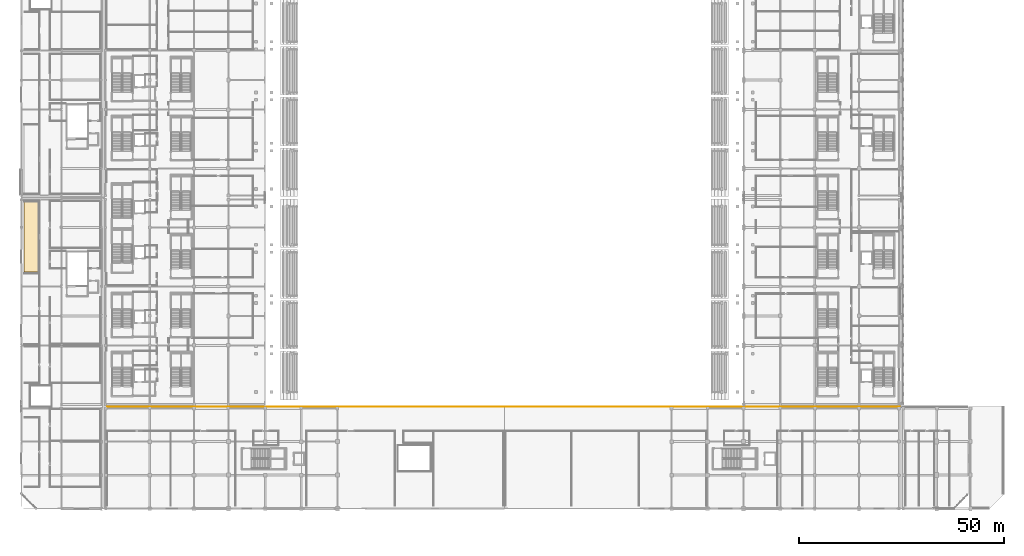
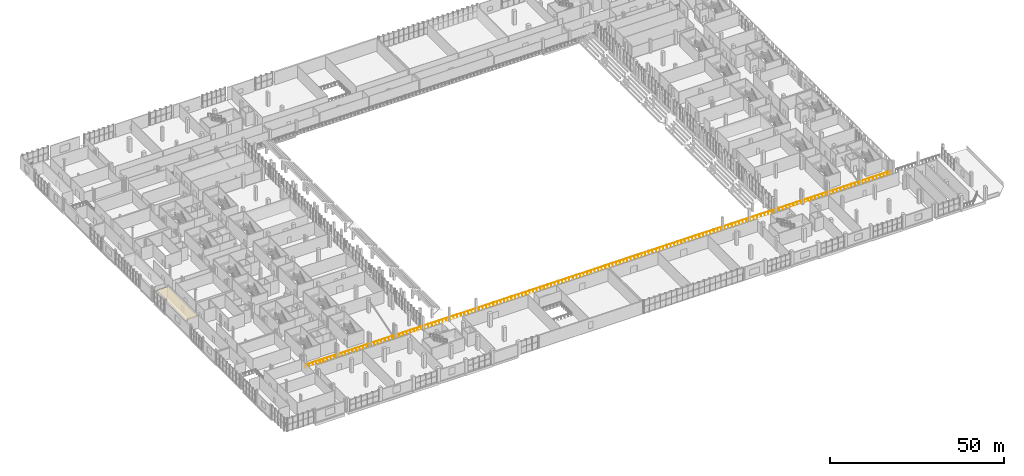
# One storey, part 118 of 142: 1 covering, 1 railing.
"""IFC4 building model written with IfcOpenShell, lengths in metres."""

from ifc_helpers import new_model, si_unit, direction, frame, origin, origin_2d, place, context, subcontext, project, spatial, polyline, circle, outline, extrude, material, layer, layer_set, type_object, element, save


model = new_model("IFC4")

# Units and contexts
model_context = context("Model", 3, precision=1e-05, world=origin(), true_north=direction((0.0, 1.0)))
body_context = subcontext(model_context, "Body", "Model", "MODEL_VIEW")
ifc_project = project(units=[si_unit("LENGTHUNIT", "METRE"), si_unit("AREAUNIT", "SQUARE_METRE"), si_unit("VOLUMEUNIT", "CUBIC_METRE"), si_unit("PLANEANGLEUNIT", "RADIAN"), si_unit("MASSUNIT", "GRAM", prefix="KILO")], contexts=[model_context])

# Site, building, storey
site_placement = place(None, origin())
site = spatial("IfcSite", under=ifc_project, at=site_placement, CompositionType="ELEMENT")
building_placement = place(site_placement, origin())
building = spatial("IfcBuilding", under=site, at=building_placement, Name="Koshinbarg Plaza Stadium", CompositionType="ELEMENT")
storey_placement = place(building_placement, frame((0.0, 0.0, 10.199951171875)))
storey = spatial("IfcBuildingStorey", under=building, at=storey_placement, Name="L02", CompositionType="ELEMENT", Elevation=10.199951171875)

# Covering
ifc_material_1 = material(Name="Perforated gypsum acoustic ceiling board")
ifc_layer = layer(ifc_material_1, 0.030029296875)
ifc_layer_set = layer_set([ifc_layer], Name="Perforated gypsum acoustic ceiling board")
covering_type = type_object("IfcCoveringType", Name="COV-CEIL-01", PredefinedType="CEILING", material=ifc_layer_set)
covering_placement = place(storey_placement, frame((0.0, 0.0, 3.699951171875)))
element("IfcCovering", 1, at=covering_placement, inside=storey, type_object=covering_type, Name="L02 Southwest Hospitality Suite acoustic ceiling 029", PredefinedType="CEILING", context=body_context, shape_type="SweptSolid", body=[
    extrude(outline(polyline([(4.699951171875, 57.78759765625), (8.39990234375, 57.78759765625), (8.39990234375, 75.10498046875), (4.699951171875, 75.10498046875), (4.699951171875, 57.78759765625)])), origin(), (0.0, 0.0, 1.0), 0.030029296875),
])

# Railing
ifc_material_2 = material(Name="Toughened laminated glass and stainless steel sightline balustrade", Category="steel")
railing_type = type_object("IfcRailingType", Name="RL-BOWL-1100", PredefinedType="BALUSTRADE", material=ifc_material_2)
railing_placement = place(storey_placement, frame((25.0, 24.8798828125, 0.0)))
element("IfcRailing", 2, at=railing_placement, inside=storey, type_object=railing_type, Name="L02 bowl concourse sightline balustrade 0021", PredefinedType="BALUSTRADE", context=body_context, shape_type="SweptSolid", body=[
    extrude(circle(Radius=0.02392578125, at=origin_2d()), frame((0.0, 0.0, 1.076171875), z_axis=(1.0, 0.0, 0.0), x_axis=(0.0, 1.0, 0.0)), (0.0, 0.0, 1.0), 193.89990234375),
    extrude(circle(Radius=0.02099609375, at=origin_2d()), origin(), (0.0, 0.0, 1.0), 1.052001953125),
    extrude(circle(Radius=0.02099609375, at=origin_2d()), frame((1.197021484375, 0.0, 0.0)), (0.0, 0.0, 1.0), 1.052001953125),
    extrude(circle(Radius=0.02099609375, at=origin_2d()), frame((2.393798828125, 0.0, 0.0)), (0.0, 0.0, 1.0), 1.052001953125),
    extrude(circle(Radius=0.02099609375, at=origin_2d()), frame((3.5908203125, 0.0, 0.0)), (0.0, 0.0, 1.0), 1.052001953125),
    extrude(circle(Radius=0.02099609375, at=origin_2d()), frame((4.78759765625, 0.0, 0.0)), (0.0, 0.0, 1.0), 1.052001953125),
    extrude(circle(Radius=0.02099609375, at=origin_2d()), frame((5.984619140625, 0.0, 0.0)), (0.0, 0.0, 1.0), 1.052001953125),
    extrude(circle(Radius=0.02099609375, at=origin_2d()), frame((7.181396484375, 0.0, 0.0)), (0.0, 0.0, 1.0), 1.052001953125),
    extrude(circle(Radius=0.02099609375, at=origin_2d()), frame((8.37841796875, 0.0, 0.0)), (0.0, 0.0, 1.0), 1.052001953125),
    extrude(circle(Radius=0.02099609375, at=origin_2d()), frame((9.5751953125, 0.0, 0.0)), (0.0, 0.0, 1.0), 1.052001953125),
    extrude(circle(Radius=0.02099609375, at=origin_2d()), frame((10.772216796875, 0.0, 0.0)), (0.0, 0.0, 1.0), 1.052001953125),
    extrude(circle(Radius=0.02099609375, at=origin_2d()), frame((11.96923828125, 0.0, 0.0)), (0.0, 0.0, 1.0), 1.052001953125),
    extrude(circle(Radius=0.02099609375, at=origin_2d()), frame((13.166015625, 0.0, 0.0)), (0.0, 0.0, 1.0), 1.052001953125),
    extrude(circle(Radius=0.02099609375, at=origin_2d()), frame((14.363037109375, 0.0, 0.0)), (0.0, 0.0, 1.0), 1.052001953125),
    extrude(circle(Radius=0.02099609375, at=origin_2d()), frame((15.559814453125, 0.0, 0.0)), (0.0, 0.0, 1.0), 1.052001953125),
    extrude(circle(Radius=0.02099609375, at=origin_2d()), frame((16.7568359375, 0.0, 0.0)), (0.0, 0.0, 1.0), 1.052001953125),
    extrude(circle(Radius=0.02099609375, at=origin_2d()), frame((17.95361328125, 0.0, 0.0)), (0.0, 0.0, 1.0), 1.052001953125),
    extrude(circle(Radius=0.02099609375, at=origin_2d()), frame((19.150634765625, 0.0, 0.0)), (0.0, 0.0, 1.0), 1.052001953125),
    extrude(circle(Radius=0.02099609375, at=origin_2d()), frame((20.347412109375, 0.0, 0.0)), (0.0, 0.0, 1.0), 1.052001953125),
    extrude(circle(Radius=0.02099609375, at=origin_2d()), frame((21.54443359375, 0.0, 0.0)), (0.0, 0.0, 1.0), 1.052001953125),
    extrude(circle(Radius=0.02099609375, at=origin_2d()), frame((22.741455078125, 0.0, 0.0)), (0.0, 0.0, 1.0), 1.052001953125),
    extrude(circle(Radius=0.02099609375, at=origin_2d()), frame((23.938232421875, 0.0, 0.0)), (0.0, 0.0, 1.0), 1.052001953125),
    extrude(circle(Radius=0.02099609375, at=origin_2d()), frame((25.13525390625, 0.0, 0.0)), (0.0, 0.0, 1.0), 1.052001953125),
    extrude(circle(Radius=0.02099609375, at=origin_2d()), frame((26.33203125, 0.0, 0.0)), (0.0, 0.0, 1.0), 1.052001953125),
    extrude(circle(Radius=0.02099609375, at=origin_2d()), frame((27.529052734375, 0.0, 0.0)), (0.0, 0.0, 1.0), 1.052001953125),
    extrude(circle(Radius=0.02099609375, at=origin_2d()), frame((28.725830078125, 0.0, 0.0)), (0.0, 0.0, 1.0), 1.052001953125),
    extrude(circle(Radius=0.02099609375, at=origin_2d()), frame((29.9228515625, 0.0, 0.0)), (0.0, 0.0, 1.0), 1.052001953125),
    extrude(circle(Radius=0.02099609375, at=origin_2d()), frame((31.11962890625, 0.0, 0.0)), (0.0, 0.0, 1.0), 1.052001953125),
    extrude(circle(Radius=0.02099609375, at=origin_2d()), frame((32.316650390625, 0.0, 0.0)), (0.0, 0.0, 1.0), 1.052001953125),
    extrude(circle(Radius=0.02099609375, at=origin_2d()), frame((33.513671875, 0.0, 0.0)), (0.0, 0.0, 1.0), 1.052001953125),
    extrude(circle(Radius=0.02099609375, at=origin_2d()), frame((34.71044921875, 0.0, 0.0)), (0.0, 0.0, 1.0), 1.052001953125),
    extrude(circle(Radius=0.02099609375, at=origin_2d()), frame((35.907470703125, 0.0, 0.0)), (0.0, 0.0, 1.0), 1.052001953125),
    extrude(circle(Radius=0.02099609375, at=origin_2d()), frame((37.104248046875, 0.0, 0.0)), (0.0, 0.0, 1.0), 1.052001953125),
    extrude(circle(Radius=0.02099609375, at=origin_2d()), frame((38.30126953125, 0.0, 0.0)), (0.0, 0.0, 1.0), 1.052001953125),
    extrude(circle(Radius=0.02099609375, at=origin_2d()), frame((39.498046875, 0.0, 0.0)), (0.0, 0.0, 1.0), 1.052001953125),
    extrude(circle(Radius=0.02099609375, at=origin_2d()), frame((40.695068359375, 0.0, 0.0)), (0.0, 0.0, 1.0), 1.052001953125),
    extrude(circle(Radius=0.02099609375, at=origin_2d()), frame((41.891845703125, 0.0, 0.0)), (0.0, 0.0, 1.0), 1.052001953125),
    extrude(circle(Radius=0.02099609375, at=origin_2d()), frame((43.0888671875, 0.0, 0.0)), (0.0, 0.0, 1.0), 1.052001953125),
    extrude(circle(Radius=0.02099609375, at=origin_2d()), frame((44.285888671875, 0.0, 0.0)), (0.0, 0.0, 1.0), 1.052001953125),
    extrude(circle(Radius=0.02099609375, at=origin_2d()), frame((45.482666015625, 0.0, 0.0)), (0.0, 0.0, 1.0), 1.052001953125),
    extrude(circle(Radius=0.02099609375, at=origin_2d()), frame((46.6796875, 0.0, 0.0)), (0.0, 0.0, 1.0), 1.052001953125),
    extrude(circle(Radius=0.02099609375, at=origin_2d()), frame((47.87646484375, 0.0, 0.0)), (0.0, 0.0, 1.0), 1.052001953125),
    extrude(circle(Radius=0.02099609375, at=origin_2d()), frame((49.073486328125, 0.0, 0.0)), (0.0, 0.0, 1.0), 1.052001953125),
    extrude(circle(Radius=0.02099609375, at=origin_2d()), frame((50.270263671875, 0.0, 0.0)), (0.0, 0.0, 1.0), 1.052001953125),
    extrude(circle(Radius=0.02099609375, at=origin_2d()), frame((51.46728515625, 0.0, 0.0)), (0.0, 0.0, 1.0), 1.052001953125),
    extrude(circle(Radius=0.02099609375, at=origin_2d()), frame((52.6640625, 0.0, 0.0)), (0.0, 0.0, 1.0), 1.052001953125),
    extrude(circle(Radius=0.02099609375, at=origin_2d()), frame((53.861083984375, 0.0, 0.0)), (0.0, 0.0, 1.0), 1.052001953125),
    extrude(circle(Radius=0.02099609375, at=origin_2d()), frame((55.05810546875, 0.0, 0.0)), (0.0, 0.0, 1.0), 1.052001953125),
    extrude(circle(Radius=0.02099609375, at=origin_2d()), frame((56.2548828125, 0.0, 0.0)), (0.0, 0.0, 1.0), 1.052001953125),
    extrude(circle(Radius=0.02099609375, at=origin_2d()), frame((57.451904296875, 0.0, 0.0)), (0.0, 0.0, 1.0), 1.052001953125),
    extrude(circle(Radius=0.02099609375, at=origin_2d()), frame((58.648681640625, 0.0, 0.0)), (0.0, 0.0, 1.0), 1.052001953125),
    extrude(circle(Radius=0.02099609375, at=origin_2d()), frame((59.845703125, 0.0, 0.0)), (0.0, 0.0, 1.0), 1.052001953125),
    extrude(circle(Radius=0.02099609375, at=origin_2d()), frame((61.04248046875, 0.0, 0.0)), (0.0, 0.0, 1.0), 1.052001953125),
    extrude(circle(Radius=0.02099609375, at=origin_2d()), frame((62.239501953125, 0.0, 0.0)), (0.0, 0.0, 1.0), 1.052001953125),
    extrude(circle(Radius=0.02099609375, at=origin_2d()), frame((63.436279296875, 0.0, 0.0)), (0.0, 0.0, 1.0), 1.052001953125),
    extrude(circle(Radius=0.02099609375, at=origin_2d()), frame((64.63330078125, 0.0, 0.0)), (0.0, 0.0, 1.0), 1.052001953125),
    extrude(circle(Radius=0.02099609375, at=origin_2d()), frame((65.830322265625, 0.0, 0.0)), (0.0, 0.0, 1.0), 1.052001953125),
    extrude(circle(Radius=0.02099609375, at=origin_2d()), frame((67.027099609375, 0.0, 0.0)), (0.0, 0.0, 1.0), 1.052001953125),
    extrude(circle(Radius=0.02099609375, at=origin_2d()), frame((68.22412109375, 0.0, 0.0)), (0.0, 0.0, 1.0), 1.052001953125),
    extrude(circle(Radius=0.02099609375, at=origin_2d()), frame((69.4208984375, 0.0, 0.0)), (0.0, 0.0, 1.0), 1.052001953125),
    extrude(circle(Radius=0.02099609375, at=origin_2d()), frame((70.617919921875, 0.0, 0.0)), (0.0, 0.0, 1.0), 1.052001953125),
    extrude(circle(Radius=0.02099609375, at=origin_2d()), frame((71.814697265625, 0.0, 0.0)), (0.0, 0.0, 1.0), 1.052001953125),
    extrude(circle(Radius=0.02099609375, at=origin_2d()), frame((73.01171875, 0.0, 0.0)), (0.0, 0.0, 1.0), 1.052001953125),
    extrude(circle(Radius=0.02099609375, at=origin_2d()), frame((74.20849609375, 0.0, 0.0)), (0.0, 0.0, 1.0), 1.052001953125),
    extrude(circle(Radius=0.02099609375, at=origin_2d()), frame((75.405517578125, 0.0, 0.0)), (0.0, 0.0, 1.0), 1.052001953125),
    extrude(circle(Radius=0.02099609375, at=origin_2d()), frame((76.6025390625, 0.0, 0.0)), (0.0, 0.0, 1.0), 1.052001953125),
    extrude(circle(Radius=0.02099609375, at=origin_2d()), frame((77.79931640625, 0.0, 0.0)), (0.0, 0.0, 1.0), 1.052001953125),
    extrude(circle(Radius=0.02099609375, at=origin_2d()), frame((78.996337890625, 0.0, 0.0)), (0.0, 0.0, 1.0), 1.052001953125),
    extrude(circle(Radius=0.02099609375, at=origin_2d()), frame((80.193115234375, 0.0, 0.0)), (0.0, 0.0, 1.0), 1.052001953125),
    extrude(circle(Radius=0.02099609375, at=origin_2d()), frame((81.39013671875, 0.0, 0.0)), (0.0, 0.0, 1.0), 1.052001953125),
    extrude(circle(Radius=0.02099609375, at=origin_2d()), frame((82.5869140625, 0.0, 0.0)), (0.0, 0.0, 1.0), 1.052001953125),
    extrude(circle(Radius=0.02099609375, at=origin_2d()), frame((83.783935546875, 0.0, 0.0)), (0.0, 0.0, 1.0), 1.052001953125),
    extrude(circle(Radius=0.02099609375, at=origin_2d()), frame((84.980712890625, 0.0, 0.0)), (0.0, 0.0, 1.0), 1.052001953125),
    extrude(circle(Radius=0.02099609375, at=origin_2d()), frame((86.177734375, 0.0, 0.0)), (0.0, 0.0, 1.0), 1.052001953125),
    extrude(circle(Radius=0.02099609375, at=origin_2d()), frame((87.374755859375, 0.0, 0.0)), (0.0, 0.0, 1.0), 1.052001953125),
    extrude(circle(Radius=0.02099609375, at=origin_2d()), frame((88.571533203125, 0.0, 0.0)), (0.0, 0.0, 1.0), 1.052001953125),
    extrude(circle(Radius=0.02099609375, at=origin_2d()), frame((89.7685546875, 0.0, 0.0)), (0.0, 0.0, 1.0), 1.052001953125),
    extrude(circle(Radius=0.02099609375, at=origin_2d()), frame((90.96533203125, 0.0, 0.0)), (0.0, 0.0, 1.0), 1.052001953125),
    extrude(circle(Radius=0.02099609375, at=origin_2d()), frame((92.162353515625, 0.0, 0.0)), (0.0, 0.0, 1.0), 1.052001953125),
    extrude(circle(Radius=0.02099609375, at=origin_2d()), frame((93.359130859375, 0.0, 0.0)), (0.0, 0.0, 1.0), 1.052001953125),
    extrude(circle(Radius=0.02099609375, at=origin_2d()), frame((94.55615234375, 0.0, 0.0)), (0.0, 0.0, 1.0), 1.052001953125),
    extrude(circle(Radius=0.02099609375, at=origin_2d()), frame((95.7529296875, 0.0, 0.0)), (0.0, 0.0, 1.0), 1.052001953125),
    extrude(circle(Radius=0.02099609375, at=origin_2d()), frame((96.949951171875, 0.0, 0.0)), (0.0, 0.0, 1.0), 1.052001953125),
    extrude(circle(Radius=0.02099609375, at=origin_2d()), frame((98.14697265625, 0.0, 0.0)), (0.0, 0.0, 1.0), 1.052001953125),
    extrude(circle(Radius=0.02099609375, at=origin_2d()), frame((99.34375, 0.0, 0.0)), (0.0, 0.0, 1.0), 1.052001953125),
    extrude(circle(Radius=0.02099609375, at=origin_2d()), frame((100.540771484375, 0.0, 0.0)), (0.0, 0.0, 1.0), 1.052001953125),
    extrude(circle(Radius=0.02099609375, at=origin_2d()), frame((101.737548828125, 0.0, 0.0)), (0.0, 0.0, 1.0), 1.052001953125),
    extrude(circle(Radius=0.02099609375, at=origin_2d()), frame((102.9345703125, 0.0, 0.0)), (0.0, 0.0, 1.0), 1.052001953125),
    extrude(circle(Radius=0.02099609375, at=origin_2d()), frame((104.13134765625, 0.0, 0.0)), (0.0, 0.0, 1.0), 1.052001953125),
    extrude(circle(Radius=0.02099609375, at=origin_2d()), frame((105.328369140625, 0.0, 0.0)), (0.0, 0.0, 1.0), 1.052001953125),
    extrude(circle(Radius=0.02099609375, at=origin_2d()), frame((106.525146484375, 0.0, 0.0)), (0.0, 0.0, 1.0), 1.052001953125),
    extrude(circle(Radius=0.02099609375, at=origin_2d()), frame((107.72216796875, 0.0, 0.0)), (0.0, 0.0, 1.0), 1.052001953125),
    extrude(circle(Radius=0.02099609375, at=origin_2d()), frame((108.919189453125, 0.0, 0.0)), (0.0, 0.0, 1.0), 1.052001953125),
    extrude(circle(Radius=0.02099609375, at=origin_2d()), frame((110.115966796875, 0.0, 0.0)), (0.0, 0.0, 1.0), 1.052001953125),
    extrude(circle(Radius=0.02099609375, at=origin_2d()), frame((111.31298828125, 0.0, 0.0)), (0.0, 0.0, 1.0), 1.052001953125),
    extrude(circle(Radius=0.02099609375, at=origin_2d()), frame((112.509765625, 0.0, 0.0)), (0.0, 0.0, 1.0), 1.052001953125),
    extrude(circle(Radius=0.02099609375, at=origin_2d()), frame((113.706787109375, 0.0, 0.0)), (0.0, 0.0, 1.0), 1.052001953125),
    extrude(circle(Radius=0.02099609375, at=origin_2d()), frame((114.903564453125, 0.0, 0.0)), (0.0, 0.0, 1.0), 1.052001953125),
    extrude(circle(Radius=0.02099609375, at=origin_2d()), frame((116.1005859375, 0.0, 0.0)), (0.0, 0.0, 1.0), 1.052001953125),
    extrude(circle(Radius=0.02099609375, at=origin_2d()), frame((117.29736328125, 0.0, 0.0)), (0.0, 0.0, 1.0), 1.052001953125),
    extrude(circle(Radius=0.02099609375, at=origin_2d()), frame((118.494384765625, 0.0, 0.0)), (0.0, 0.0, 1.0), 1.052001953125),
    extrude(circle(Radius=0.02099609375, at=origin_2d()), frame((119.69140625, 0.0, 0.0)), (0.0, 0.0, 1.0), 1.052001953125),
    extrude(circle(Radius=0.02099609375, at=origin_2d()), frame((120.88818359375, 0.0, 0.0)), (0.0, 0.0, 1.0), 1.052001953125),
    extrude(circle(Radius=0.02099609375, at=origin_2d()), frame((122.085205078125, 0.0, 0.0)), (0.0, 0.0, 1.0), 1.052001953125),
    extrude(circle(Radius=0.02099609375, at=origin_2d()), frame((123.281982421875, 0.0, 0.0)), (0.0, 0.0, 1.0), 1.052001953125),
    extrude(circle(Radius=0.02099609375, at=origin_2d()), frame((124.47900390625, 0.0, 0.0)), (0.0, 0.0, 1.0), 1.052001953125),
    extrude(circle(Radius=0.02099609375, at=origin_2d()), frame((125.67578125, 0.0, 0.0)), (0.0, 0.0, 1.0), 1.052001953125),
    extrude(circle(Radius=0.02099609375, at=origin_2d()), frame((126.872802734375, 0.0, 0.0)), (0.0, 0.0, 1.0), 1.052001953125),
    extrude(circle(Radius=0.02099609375, at=origin_2d()), frame((128.069580078125, 0.0, 0.0)), (0.0, 0.0, 1.0), 1.052001953125),
    extrude(circle(Radius=0.02099609375, at=origin_2d()), frame((129.2666015625, 0.0, 0.0)), (0.0, 0.0, 1.0), 1.052001953125),
    extrude(circle(Radius=0.02099609375, at=origin_2d()), frame((130.463623046875, 0.0, 0.0)), (0.0, 0.0, 1.0), 1.052001953125),
    extrude(circle(Radius=0.02099609375, at=origin_2d()), frame((131.660400390625, 0.0, 0.0)), (0.0, 0.0, 1.0), 1.052001953125),
    extrude(circle(Radius=0.02099609375, at=origin_2d()), frame((132.857421875, 0.0, 0.0)), (0.0, 0.0, 1.0), 1.052001953125),
    extrude(circle(Radius=0.02099609375, at=origin_2d()), frame((134.05419921875, 0.0, 0.0)), (0.0, 0.0, 1.0), 1.052001953125),
    extrude(circle(Radius=0.02099609375, at=origin_2d()), frame((135.251220703125, 0.0, 0.0)), (0.0, 0.0, 1.0), 1.052001953125),
    extrude(circle(Radius=0.02099609375, at=origin_2d()), frame((136.447998046875, 0.0, 0.0)), (0.0, 0.0, 1.0), 1.052001953125),
    extrude(circle(Radius=0.02099609375, at=origin_2d()), frame((137.64501953125, 0.0, 0.0)), (0.0, 0.0, 1.0), 1.052001953125),
    extrude(circle(Radius=0.02099609375, at=origin_2d()), frame((138.841796875, 0.0, 0.0)), (0.0, 0.0, 1.0), 1.052001953125),
    extrude(circle(Radius=0.02099609375, at=origin_2d()), frame((140.038818359375, 0.0, 0.0)), (0.0, 0.0, 1.0), 1.052001953125),
    extrude(circle(Radius=0.02099609375, at=origin_2d()), frame((141.23583984375, 0.0, 0.0)), (0.0, 0.0, 1.0), 1.052001953125),
    extrude(circle(Radius=0.02099609375, at=origin_2d()), frame((142.4326171875, 0.0, 0.0)), (0.0, 0.0, 1.0), 1.052001953125),
    extrude(circle(Radius=0.02099609375, at=origin_2d()), frame((143.629638671875, 0.0, 0.0)), (0.0, 0.0, 1.0), 1.052001953125),
    extrude(circle(Radius=0.02099609375, at=origin_2d()), frame((144.826416015625, 0.0, 0.0)), (0.0, 0.0, 1.0), 1.052001953125),
    extrude(circle(Radius=0.02099609375, at=origin_2d()), frame((146.0234375, 0.0, 0.0)), (0.0, 0.0, 1.0), 1.052001953125),
    extrude(circle(Radius=0.02099609375, at=origin_2d()), frame((147.22021484375, 0.0, 0.0)), (0.0, 0.0, 1.0), 1.052001953125),
    extrude(circle(Radius=0.02099609375, at=origin_2d()), frame((148.417236328125, 0.0, 0.0)), (0.0, 0.0, 1.0), 1.052001953125),
    extrude(circle(Radius=0.02099609375, at=origin_2d()), frame((149.614013671875, 0.0, 0.0)), (0.0, 0.0, 1.0), 1.052001953125),
    extrude(circle(Radius=0.02099609375, at=origin_2d()), frame((150.81103515625, 0.0, 0.0)), (0.0, 0.0, 1.0), 1.052001953125),
    extrude(circle(Radius=0.02099609375, at=origin_2d()), frame((152.008056640625, 0.0, 0.0)), (0.0, 0.0, 1.0), 1.052001953125),
    extrude(circle(Radius=0.02099609375, at=origin_2d()), frame((153.204833984375, 0.0, 0.0)), (0.0, 0.0, 1.0), 1.052001953125),
    extrude(circle(Radius=0.02099609375, at=origin_2d()), frame((154.40185546875, 0.0, 0.0)), (0.0, 0.0, 1.0), 1.052001953125),
    extrude(circle(Radius=0.02099609375, at=origin_2d()), frame((155.5986328125, 0.0, 0.0)), (0.0, 0.0, 1.0), 1.052001953125),
    extrude(circle(Radius=0.02099609375, at=origin_2d()), frame((156.795654296875, 0.0, 0.0)), (0.0, 0.0, 1.0), 1.052001953125),
    extrude(circle(Radius=0.02099609375, at=origin_2d()), frame((157.992431640625, 0.0, 0.0)), (0.0, 0.0, 1.0), 1.052001953125),
    extrude(circle(Radius=0.02099609375, at=origin_2d()), frame((159.189453125, 0.0, 0.0)), (0.0, 0.0, 1.0), 1.052001953125),
    extrude(circle(Radius=0.02099609375, at=origin_2d()), frame((160.38623046875, 0.0, 0.0)), (0.0, 0.0, 1.0), 1.052001953125),
    extrude(circle(Radius=0.02099609375, at=origin_2d()), frame((161.583251953125, 0.0, 0.0)), (0.0, 0.0, 1.0), 1.052001953125),
    extrude(circle(Radius=0.02099609375, at=origin_2d()), frame((162.7802734375, 0.0, 0.0)), (0.0, 0.0, 1.0), 1.052001953125),
    extrude(circle(Radius=0.02099609375, at=origin_2d()), frame((163.97705078125, 0.0, 0.0)), (0.0, 0.0, 1.0), 1.052001953125),
    extrude(circle(Radius=0.02099609375, at=origin_2d()), frame((165.174072265625, 0.0, 0.0)), (0.0, 0.0, 1.0), 1.052001953125),
    extrude(circle(Radius=0.02099609375, at=origin_2d()), frame((166.370849609375, 0.0, 0.0)), (0.0, 0.0, 1.0), 1.052001953125),
    extrude(circle(Radius=0.02099609375, at=origin_2d()), frame((167.56787109375, 0.0, 0.0)), (0.0, 0.0, 1.0), 1.052001953125),
    extrude(circle(Radius=0.02099609375, at=origin_2d()), frame((168.7646484375, 0.0, 0.0)), (0.0, 0.0, 1.0), 1.052001953125),
    extrude(circle(Radius=0.02099609375, at=origin_2d()), frame((169.961669921875, 0.0, 0.0)), (0.0, 0.0, 1.0), 1.052001953125),
    extrude(circle(Radius=0.02099609375, at=origin_2d()), frame((171.158447265625, 0.0, 0.0)), (0.0, 0.0, 1.0), 1.052001953125),
    extrude(circle(Radius=0.02099609375, at=origin_2d()), frame((172.35546875, 0.0, 0.0)), (0.0, 0.0, 1.0), 1.052001953125),
    extrude(circle(Radius=0.02099609375, at=origin_2d()), frame((173.552490234375, 0.0, 0.0)), (0.0, 0.0, 1.0), 1.052001953125),
    extrude(circle(Radius=0.02099609375, at=origin_2d()), frame((174.749267578125, 0.0, 0.0)), (0.0, 0.0, 1.0), 1.052001953125),
    extrude(circle(Radius=0.02099609375, at=origin_2d()), frame((175.9462890625, 0.0, 0.0)), (0.0, 0.0, 1.0), 1.052001953125),
    extrude(circle(Radius=0.02099609375, at=origin_2d()), frame((177.14306640625, 0.0, 0.0)), (0.0, 0.0, 1.0), 1.052001953125),
    extrude(circle(Radius=0.02099609375, at=origin_2d()), frame((178.340087890625, 0.0, 0.0)), (0.0, 0.0, 1.0), 1.052001953125),
    extrude(circle(Radius=0.02099609375, at=origin_2d()), frame((179.536865234375, 0.0, 0.0)), (0.0, 0.0, 1.0), 1.052001953125),
    extrude(circle(Radius=0.02099609375, at=origin_2d()), frame((180.73388671875, 0.0, 0.0)), (0.0, 0.0, 1.0), 1.052001953125),
    extrude(circle(Radius=0.02099609375, at=origin_2d()), frame((181.9306640625, 0.0, 0.0)), (0.0, 0.0, 1.0), 1.052001953125),
    extrude(circle(Radius=0.02099609375, at=origin_2d()), frame((183.127685546875, 0.0, 0.0)), (0.0, 0.0, 1.0), 1.052001953125),
    extrude(circle(Radius=0.02099609375, at=origin_2d()), frame((184.32470703125, 0.0, 0.0)), (0.0, 0.0, 1.0), 1.052001953125),
    extrude(circle(Radius=0.02099609375, at=origin_2d()), frame((185.521484375, 0.0, 0.0)), (0.0, 0.0, 1.0), 1.052001953125),
    extrude(circle(Radius=0.02099609375, at=origin_2d()), frame((186.718505859375, 0.0, 0.0)), (0.0, 0.0, 1.0), 1.052001953125),
    extrude(circle(Radius=0.02099609375, at=origin_2d()), frame((187.915283203125, 0.0, 0.0)), (0.0, 0.0, 1.0), 1.052001953125),
    extrude(circle(Radius=0.02099609375, at=origin_2d()), frame((189.1123046875, 0.0, 0.0)), (0.0, 0.0, 1.0), 1.052001953125),
    extrude(circle(Radius=0.02099609375, at=origin_2d()), frame((190.30908203125, 0.0, 0.0)), (0.0, 0.0, 1.0), 1.052001953125),
    extrude(circle(Radius=0.02099609375, at=origin_2d()), frame((191.506103515625, 0.0, 0.0)), (0.0, 0.0, 1.0), 1.052001953125),
    extrude(circle(Radius=0.02099609375, at=origin_2d()), frame((192.702880859375, 0.0, 0.0)), (0.0, 0.0, 1.0), 1.052001953125),
    extrude(circle(Radius=0.02099609375, at=origin_2d()), frame((193.89990234375, 0.0, 0.0)), (0.0, 0.0, 1.0), 1.052001953125),
])

save(model, "model.ifc")
